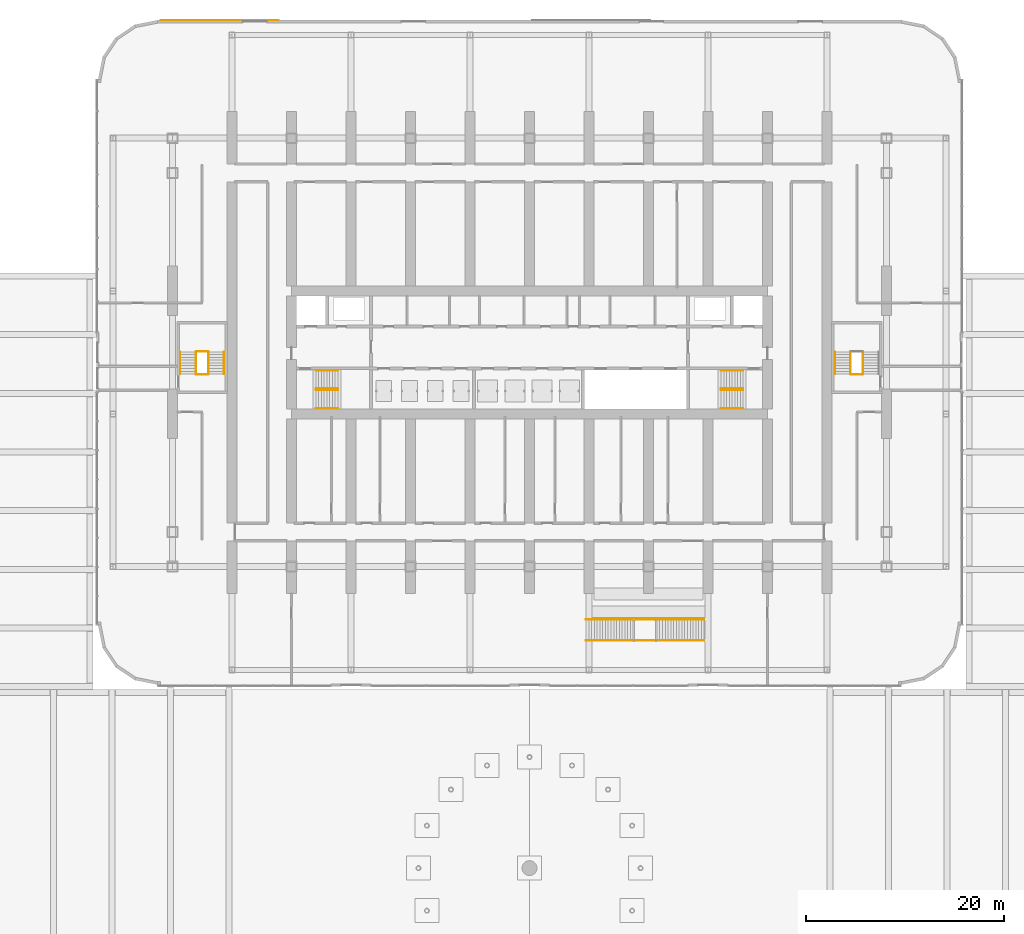
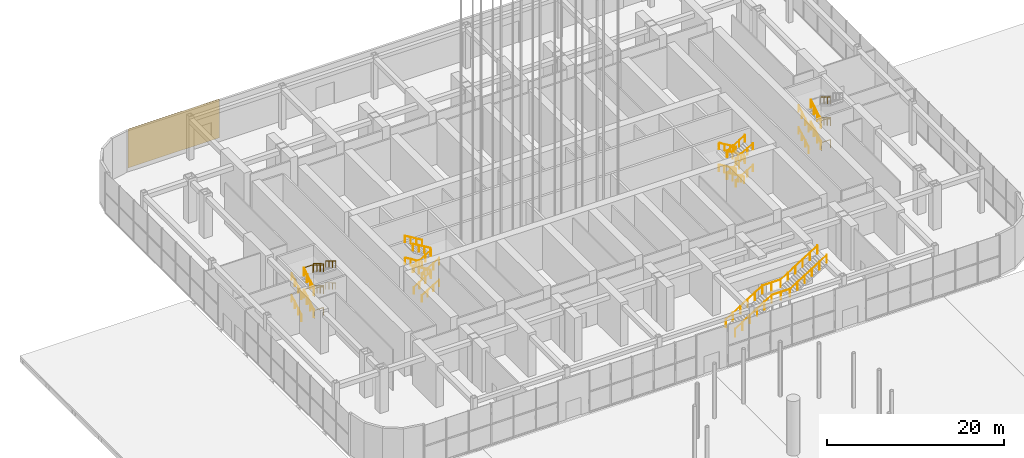
# One storey, part 39 of 57: 45 railings, 1 covering.
"""IFC4 building model written with IfcOpenShell, lengths in metres."""

import ifcopenshell
import ifcopenshell.guid

model = None  # the IFC model being written
_history = None  # IfcOwnerHistory: only IFC2X3 demands one
_inside = {}  # id of a spatial element -> (the spatial element, [elements in it])
_under = {}  # id of a project, library or spatial element -> (it, [spatial elements below it])
_declared = {}  # id of a project -> (the project, [libraries it declares])
_typed = {}  # id of a type object -> (the type object, [elements of that type])
_made_of = {}  # id of a material, layer set ... -> (it, [elements and type objects made of it])


def new_model(schema):
    """Start an empty IFC model of exactly this schema.

    Asked for "IFC4X3", IfcOpenShell would pick the latest addendum, in which some entities
    have other attributes; the version numbers below select the first issue.
    IFC2X3 requires an IfcOwnerHistory on every rooted entity: one is made here for all.
    """
    global model, _history
    if schema == "IFC4X3":
        model = ifcopenshell.file(schema_version=(4, 3, 0, 0))
    else:
        model = ifcopenshell.file(schema=schema)
    _inside.clear()
    _under.clear()
    _declared.clear()
    _typed.clear()
    _made_of.clear()
    _history = None
    if model.schema == "IFC2X3":
        org = make("IfcOrganization", Name="unknown")
        user = make(
            "IfcPersonAndOrganization",
            ThePerson=make("IfcPerson", FamilyName="unknown"),
            TheOrganization=org,
        )
        app = make(
            "IfcApplication",
            ApplicationDeveloper=org,
            Version="unknown",
            ApplicationFullName="unknown",
            ApplicationIdentifier="unknown",
        )
        _history = make(
            "IfcOwnerHistory",
            OwningUser=user,
            OwningApplication=app,
            ChangeAction="ADDED",
            CreationDate=0,
        )
    return model


def make(cls, **values):
    """One entity of the class cls with the attributes given. An attribute that is None is left unset."""
    return model.create_entity(
        cls, **{name: value for name, value in values.items() if value is not None}
    )


def rooted(cls, **values):
    """An entity with a GlobalId (a new one), such as an element, a storey or a relation."""
    return make(cls, GlobalId=ifcopenshell.guid.new(), OwnerHistory=_history, **values)


def si_unit(unit_type, name, prefix=None):
    """IfcSIUnit, for example si_unit("LENGTHUNIT", "METRE", prefix="MILLI")."""
    return make("IfcSIUnit", UnitType=unit_type, Prefix=prefix, Name=name)


def assignment(units):
    """IfcUnitAssignment: the units of a project."""
    return None if units is None else make("IfcUnitAssignment", Units=units)


def point(xyz):
    """IfcCartesianPoint."""
    return None if xyz is None else make("IfcCartesianPoint", Coordinates=xyz)


def direction(xyz):
    """IfcDirection."""
    return None if xyz is None else make("IfcDirection", DirectionRatios=xyz)


def frame(location, z_axis=None, x_axis=None):
    """IfcAxis2Placement3D, a coordinate frame: its origin and axes. An axis left out is left unset."""
    return make(
        "IfcAxis2Placement3D",
        Location=point(location),
        Axis=direction(z_axis),
        RefDirection=direction(x_axis),
    )


def frame_2d(location, x_axis=None):
    """IfcAxis2Placement2D, a coordinate frame in the plane: its origin and x axis."""
    return make(
        "IfcAxis2Placement2D", Location=point(location), RefDirection=direction(x_axis)
    )


def origin():
    """The frame at (0, 0, 0) with its axes left unset."""
    return frame((0.0, 0.0, 0.0))


def origin_2d():
    """The frame at (0, 0) in the plane with its x axis left unset."""
    return frame_2d((0.0, 0.0))


def place(relative_to, where):
    """IfcLocalPlacement: puts the frame where relative to a parent placement (None: the world)."""
    return make(
        "IfcLocalPlacement", PlacementRelTo=relative_to, RelativePlacement=where
    )


def context(
    kind, dimensions, precision=None, world=None, true_north=None, identifier=None
):
    """IfcGeometricRepresentationContext, for example the 3D "Model" context."""
    return make(
        "IfcGeometricRepresentationContext",
        ContextIdentifier=identifier,
        ContextType=kind,
        CoordinateSpaceDimension=dimensions,
        Precision=precision,
        WorldCoordinateSystem=world,
        TrueNorth=true_north,
    )


def subcontext(parent, identifier, kind, view, scale=None):
    """IfcGeometricRepresentationSubContext, for example "Body" below "Model"."""
    return make(
        "IfcGeometricRepresentationSubContext",
        ContextIdentifier=identifier,
        ContextType=kind,
        ParentContext=parent,
        TargetScale=scale,
        TargetView=view,
    )


def project(units=None, contexts=None):
    """IfcProject with its units and contexts."""
    return rooted(
        "IfcProject",
        Name="project",
        RepresentationContexts=contexts,
        UnitsInContext=assignment(units),
    )


def spatial(cls, under=None, at=None, **own):
    """A site, building, storey or space (cls), placed at a placement, below another one or the project."""
    s = rooted(cls, ObjectPlacement=at, **own)
    if under is not None:
        _under.setdefault(under.id(), (under, []))[1].append(s)
    return s


def profile(cls, at=None, kind="AREA", **sizes):
    """A parametric profile (cls). Its sizes go by their IFC names, for example OverallWidth=200.0."""
    return make(cls, ProfileType=kind, Position=at, **sizes)


def rectangle(**sizes):
    """IfcRectangleProfileDef."""
    return profile("IfcRectangleProfileDef", **sizes)


def circle(**sizes):
    """IfcCircleProfileDef."""
    return profile("IfcCircleProfileDef", **sizes)


def extrude(swept, where, along, depth):
    """IfcExtrudedAreaSolid: the profile swept, set in the frame where, extruded along a direction by depth."""
    return make(
        "IfcExtrudedAreaSolid",
        SweptArea=swept,
        Position=where,
        ExtrudedDirection=direction(along),
        Depth=depth,
    )


def shape(context_of_items, identifier, shape_type, items):
    """IfcShapeRepresentation: the items that make up one representation, for example the "Body"."""
    return make(
        "IfcShapeRepresentation",
        ContextOfItems=context_of_items,
        RepresentationIdentifier=identifier,
        RepresentationType=shape_type,
        Items=items,
    )


def material(Name=None, Category=None):
    """IfcMaterial."""
    return make("IfcMaterial", Name=Name, Category=Category)


def layer(
    of_material, thickness, ventilated=None, Name=None, Category=None, Priority=None
):
    """IfcMaterialLayer: one layer of a wall or slab, of a material (None: an air gap)."""
    return make(
        "IfcMaterialLayer",
        Material=of_material,
        LayerThickness=thickness,
        IsVentilated=ventilated,
        Name=Name,
        Category=Category,
        Priority=Priority,
    )


def layer_set(layers, Name=None):
    """IfcMaterialLayerSet."""
    return make("IfcMaterialLayerSet", MaterialLayers=layers, LayerSetName=Name)


def made_of(thing, what):
    """Note that an element or type object is made of a material, layer set ...; save() writes the relation."""
    if what is not None:
        _made_of.setdefault(what.id(), (what, []))[1].append(thing)
    return thing


def type_object(cls, material=None, **own):
    """A type object (cls), such as IfcWallType, which elements share."""
    return made_of(rooted(cls, **own), material)


def element(
    cls,
    number,
    at=None,
    inside=None,
    cuts=None,
    type_object=None,
    material=None,
    context=None,
    identifier="Body",
    shape_type=None,
    held_by="IfcProductDefinitionShape",
    body=None,
    shapes=None,
    **own,
):
    """One element of the class cls, such as IfcWall. Its Tag is "e" and its number.

    at: its placement. inside: the storey or other place that contains it. cuts: it is an
    opening in that element (IfcRelVoidsElement). A single representation is given by context,
    identifier, shape_type and body (its items); several are given by shapes. held_by: the class
    of the entity that holds the representations. save() writes the other relations.
    """
    e = rooted(cls, Tag="e%d" % number, ObjectPlacement=at, **own)
    if body is not None:
        shapes = [shape(context, identifier, shape_type, body)]
    if shapes is not None:
        e.Representation = make(held_by, Representations=shapes)
    if inside is not None:
        _inside.setdefault(inside.id(), (inside, []))[1].append(e)
    if cuts is not None:
        rooted(
            "IfcRelVoidsElement", RelatingBuildingElement=cuts, RelatedOpeningElement=e
        )
    if type_object is not None:
        _typed.setdefault(type_object.id(), (type_object, []))[1].append(e)
    return made_of(e, material)


def aggregate(whole, parts):
    """IfcRelAggregates: a whole, such as a stair, and the parts it consists of."""
    return rooted("IfcRelAggregates", RelatingObject=whole, RelatedObjects=parts)


def save(model, path):
    """Write the relations noted so far, then the file.

    IfcRelAggregates (storeys below a building ...), IfcRelContainedInSpatialStructure (elements
    in a storey), IfcRelDefinesByType, IfcRelAssociatesMaterial and IfcRelDeclares: one each for
    every whole, place, type object, material and project.
    """
    for whole, parts in _under.values():
        aggregate(whole, parts)
    for where, things in _inside.values():
        rooted(
            "IfcRelContainedInSpatialStructure",
            RelatedElements=things,
            RelatingStructure=where,
        )
    for kind, things in _typed.values():
        rooted("IfcRelDefinesByType", RelatedObjects=things, RelatingType=kind)
    for what, things in _made_of.values():
        rooted("IfcRelAssociatesMaterial", RelatedObjects=things, RelatingMaterial=what)
    for by, libraries in _declared.values():
        rooted("IfcRelDeclares", RelatingContext=by, RelatedDefinitions=libraries)
    model.write(path)


model = new_model("IFC4")

# Units and contexts
model_context = context("Model", 3, precision=1e-05, world=origin(), true_north=direction((0.0, 1.0)))
body_context = subcontext(model_context, "Body", "Model", "MODEL_VIEW")
ifc_project = project(units=[si_unit("LENGTHUNIT", "METRE"), si_unit("AREAUNIT", "SQUARE_METRE"), si_unit("VOLUMEUNIT", "CUBIC_METRE"), si_unit("PLANEANGLEUNIT", "RADIAN"), si_unit("MASSUNIT", "GRAM", prefix="KILO")], contexts=[model_context])

# Site, building, storey
site_placement = place(None, origin())
site = spatial("IfcSite", under=ifc_project, at=site_placement, CompositionType="ELEMENT")
building_placement = place(site_placement, origin())
building = spatial("IfcBuilding", under=site, at=building_placement, Name="Orbita Commons", CompositionType="ELEMENT")
storey_placement = place(building_placement, origin())
storey = spatial("IfcBuildingStorey", under=building, at=storey_placement, Name="L00", CompositionType="ELEMENT", Elevation=0.0)

# Railings
ifc_material_1 = material(Name="Laminated glass, steel handrail", Category="steel")
railing_type_1 = type_object("IfcRailingType", Name="Feature stair balustrade, glass on steel stringer 1100", PredefinedType="BALUSTRADE", material=ifc_material_1)
railing_1_placement = place(storey_placement, frame((47.699951171875, 5.06005859375, 0.0)))
element("IfcRailing", 1, at=railing_1_placement, inside=storey, type_object=railing_type_1, Name="Grand stair L00 to L01 balustrade L", PredefinedType="BALUSTRADE", context=body_context, shape_type="SweptSolid", body=[
    extrude(circle(Radius=0.02490234375, at=origin_2d()), frame((0.0, 0.0, 1.0751953125), z_axis=(0.845995810448, 0.0, 0.533189542944), x_axis=(0.0, 1.0, 0.0)), (0.0, 0.0, 1.0), 5.62646484375),
    extrude(circle(Radius=0.02490234375, at=origin_2d()), frame((4.760009765625, 0.0, 4.0751953125), z_axis=(1.0, 0.0, 0.0), x_axis=(0.0, 1.0, 0.0)), (0.0, 0.0, 1.0), 2.39013671875),
    extrude(circle(Radius=0.02490234375, at=origin_2d()), frame((7.150146484375, 0.0, 4.0751953125), z_axis=(0.845995810448, 0.0, 0.533189542944), x_axis=(0.0, 1.0, 0.0)), (0.0, 0.0, 1.0), 5.62646484375),
    extrude(circle(Radius=0.02001953125, at=origin_2d()), origin(), (0.0, 0.0, 1.0), 1.050048828125),
    extrude(circle(Radius=0.02001953125, at=origin_2d()), frame((0.951904296875, 0.0, 0.60009765625)), (0.0, 0.0, 1.0), 1.050048828125),
    extrude(circle(Radius=0.02001953125, at=origin_2d()), frame((1.904052734375, 0.0, 1.199951171875)), (0.0, 0.0, 1.0), 1.050048828125),
    extrude(circle(Radius=0.02001953125, at=origin_2d()), frame((2.85595703125, 0.0, 1.800048828125)), (0.0, 0.0, 1.0), 1.050048828125),
    extrude(circle(Radius=0.02001953125, at=origin_2d()), frame((3.80810546875, 0.0, 2.39990234375)), (0.0, 0.0, 1.0), 1.050048828125),
    extrude(circle(Radius=0.02001953125, at=origin_2d()), frame((4.760009765625, 0.0, 3.0)), (0.0, 0.0, 1.0), 1.050048828125),
    extrude(circle(Radius=0.02001953125, at=origin_2d()), frame((5.955078125, 0.0, 3.0)), (0.0, 0.0, 1.0), 1.050048828125),
    extrude(circle(Radius=0.02001953125, at=origin_2d()), frame((7.150146484375, 0.0, 3.0)), (0.0, 0.0, 1.0), 1.050048828125),
    extrude(circle(Radius=0.02001953125, at=origin_2d()), frame((8.10205078125, 0.0, 3.60009765625)), (0.0, 0.0, 1.0), 1.050048828125),
    extrude(circle(Radius=0.02001953125, at=origin_2d()), frame((9.05419921875, 0.0, 4.199951171875)), (0.0, 0.0, 1.0), 1.050048828125),
    extrude(circle(Radius=0.02001953125, at=origin_2d()), frame((10.006103515625, 0.0, 4.800048828125)), (0.0, 0.0, 1.0), 1.050048828125),
    extrude(circle(Radius=0.02001953125, at=origin_2d()), frame((10.958251953125, 0.0, 5.39990234375)), (0.0, 0.0, 1.0), 1.050048828125),
    extrude(circle(Radius=0.02001953125, at=origin_2d()), frame((11.91015625, 0.0, 6.0)), (0.0, 0.0, 1.0), 1.050048828125),
])
railing_2_placement = place(storey_placement, frame((47.699951171875, 2.93994140625, 0.0)))
element("IfcRailing", 2, at=railing_2_placement, inside=storey, type_object=railing_type_1, Name="Grand stair L00 to L01 balustrade R", PredefinedType="BALUSTRADE", context=body_context, shape_type="SweptSolid", body=[
    extrude(circle(Radius=0.02490234375, at=origin_2d()), frame((0.0, 0.0, 1.0751953125), z_axis=(0.845995810448, 0.0, 0.533189542944), x_axis=(0.0, 1.0, 0.0)), (0.0, 0.0, 1.0), 5.62646484375),
    extrude(circle(Radius=0.02490234375, at=origin_2d()), frame((4.760009765625, 0.0, 4.0751953125), z_axis=(1.0, 0.0, 0.0), x_axis=(0.0, 1.0, 0.0)), (0.0, 0.0, 1.0), 2.39013671875),
    extrude(circle(Radius=0.02490234375, at=origin_2d()), frame((7.150146484375, 0.0, 4.0751953125), z_axis=(0.845995810448, 0.0, 0.533189542944), x_axis=(0.0, 1.0, 0.0)), (0.0, 0.0, 1.0), 5.62646484375),
    extrude(circle(Radius=0.02001953125, at=origin_2d()), origin(), (0.0, 0.0, 1.0), 1.050048828125),
    extrude(circle(Radius=0.02001953125, at=origin_2d()), frame((0.951904296875, 0.0, 0.60009765625)), (0.0, 0.0, 1.0), 1.050048828125),
    extrude(circle(Radius=0.02001953125, at=origin_2d()), frame((1.904052734375, 0.0, 1.199951171875)), (0.0, 0.0, 1.0), 1.050048828125),
    extrude(circle(Radius=0.02001953125, at=origin_2d()), frame((2.85595703125, 0.0, 1.800048828125)), (0.0, 0.0, 1.0), 1.050048828125),
    extrude(circle(Radius=0.02001953125, at=origin_2d()), frame((3.80810546875, 0.0, 2.39990234375)), (0.0, 0.0, 1.0), 1.050048828125),
    extrude(circle(Radius=0.02001953125, at=origin_2d()), frame((4.760009765625, 0.0, 3.0)), (0.0, 0.0, 1.0), 1.050048828125),
    extrude(circle(Radius=0.02001953125, at=origin_2d()), frame((5.955078125, 0.0, 3.0)), (0.0, 0.0, 1.0), 1.050048828125),
    extrude(circle(Radius=0.02001953125, at=origin_2d()), frame((7.150146484375, 0.0, 3.0)), (0.0, 0.0, 1.0), 1.050048828125),
    extrude(circle(Radius=0.02001953125, at=origin_2d()), frame((8.10205078125, 0.0, 3.60009765625)), (0.0, 0.0, 1.0), 1.050048828125),
    extrude(circle(Radius=0.02001953125, at=origin_2d()), frame((9.05419921875, 0.0, 4.199951171875)), (0.0, 0.0, 1.0), 1.050048828125),
    extrude(circle(Radius=0.02001953125, at=origin_2d()), frame((10.006103515625, 0.0, 4.800048828125)), (0.0, 0.0, 1.0), 1.050048828125),
    extrude(circle(Radius=0.02001953125, at=origin_2d()), frame((10.958251953125, 0.0, 5.39990234375)), (0.0, 0.0, 1.0), 1.050048828125),
    extrude(circle(Radius=0.02001953125, at=origin_2d()), frame((11.91015625, 0.0, 6.0)), (0.0, 0.0, 1.0), 1.050048828125),
])

# Covering
ifc_material_2 = material(Name="Glass mosaic tesserae on precast backing", Category="concrete")
ifc_layer = layer(ifc_material_2, 0.02001953125)
ifc_layer_set = layer_set([ifc_layer], Name="Glass mosaic tesserae on precast backing")
covering_type = type_object("IfcCoveringType", Name="Mosaic cladding panel 20", PredefinedType="CLADDING", material=ifc_layer_set)
covering_placement = place(storey_placement, frame((10.75, 65.510009765625, 0.300048828125), z_axis=(0.0, 0.0, 1.0), x_axis=(1.0, 0.0, 0.0)))
element("IfcCovering", 3, at=covering_placement, inside=storey, type_object=covering_type, Name="Mosaic mural panel L00 6", PredefinedType="CLADDING", context=body_context, shape_type="SweptSolid", body=[
    extrude(rectangle(XDim=11.89990234375, YDim=0.02001953125, at=origin_2d()), origin(), (0.0, 0.0, 1.0), 5.35009765625),
])

# Railings
ifc_material_3 = material(Name="Steel tube, painted", Category="steel")
railing_type_2 = type_object("IfcRailingType", Name="Stair handrail steel tube 900", PredefinedType="HANDRAIL", material=ifc_material_3)
for number, where, name in (
    (4, (20.449951171875, 28.18994140625, 0.166748046875), "Stair S1 handrail L00 flight 1"),
    (5, (20.449951171875, 26.360107421875, 0.166748046875), "Stair S1 handrail L00 flight 1"),
):
    element("IfcRailing", number, at=place(storey_placement, frame(where)), inside=storey, type_object=railing_type_2, Name=name, PredefinedType="HANDRAIL", context=body_context, shape_type="SweptSolid", body=[
        extrude(circle(Radius=0.02099609375, at=origin_2d()), frame((0.0, 0.0, 0.87890625), z_axis=(0.859305625298, 0.0, 0.511462454469), x_axis=(0.0, 1.0, 0.0)), (0.0, 0.0, 1.0), 2.606689453125),
        extrude(circle(Radius=0.02001953125, at=origin_2d()), origin(), (0.0, 0.0, 1.0), 0.85791015625),
        extrude(circle(Radius=0.02001953125, at=origin_2d()), frame((0.74658203125, 0.0, 0.4443359375)), (0.0, 0.0, 1.0), 0.85791015625),
        extrude(circle(Radius=0.02001953125, at=origin_2d()), frame((1.493408203125, 0.0, 0.888916015625)), (0.0, 0.0, 1.0), 0.85791015625),
        extrude(circle(Radius=0.02001953125, at=origin_2d()), frame((2.239990234375, 0.0, 1.333251953125)), (0.0, 0.0, 1.0), 0.85791015625),
    ])
for number, where, name in (
    (6, (22.68994140625, 28.360107421875, 1.666748046875), "Stair S1 handrail L00 flight 2"),
    (7, (22.68994140625, 30.18994140625, 1.666748046875), "Stair S1 handrail L00 flight 2"),
):
    element("IfcRailing", number, at=place(storey_placement, frame(where)), inside=storey, type_object=railing_type_2, Name=name, PredefinedType="HANDRAIL", context=body_context, shape_type="SweptSolid", body=[
        extrude(circle(Radius=0.02099609375, at=origin_2d()), frame((0.0, 0.0, 0.87890625), z_axis=(-0.859305625298, 0.0, 0.511462454469), x_axis=(0.0, -1.0, 0.0)), (0.0, 0.0, 1.0), 2.606689453125),
        extrude(circle(Radius=0.02001953125, at=origin_2d()), origin(), (0.0, 0.0, 1.0), 0.85791015625),
        extrude(circle(Radius=0.02001953125, at=origin_2d()), frame((-0.74658203125, 0.0, 0.4443359375)), (0.0, 0.0, 1.0), 0.85791015625),
        extrude(circle(Radius=0.02001953125, at=origin_2d()), frame((-1.493408203125, 0.0, 0.888916015625)), (0.0, 0.0, 1.0), 0.85791015625),
        extrude(circle(Radius=0.02001953125, at=origin_2d()), frame((-2.239990234375, 0.0, 1.333251953125)), (0.0, 0.0, 1.0), 0.85791015625),
    ])
for number, where, name in (
    (8, (20.449951171875, 28.18994140625, 3.166748046875), "Stair S1 handrail L00 flight 3"),
    (9, (20.449951171875, 26.360107421875, 3.166748046875), "Stair S1 handrail L00 flight 3"),
):
    element("IfcRailing", number, at=place(storey_placement, frame(where)), inside=storey, type_object=railing_type_2, Name=name, PredefinedType="HANDRAIL", context=body_context, shape_type="SweptSolid", body=[
        extrude(circle(Radius=0.02099609375, at=origin_2d()), frame((0.0, 0.0, 0.87890625), z_axis=(0.859305625298, 0.0, 0.511462454469), x_axis=(0.0, 1.0, 0.0)), (0.0, 0.0, 1.0), 2.606689453125),
        extrude(circle(Radius=0.02001953125, at=origin_2d()), origin(), (0.0, 0.0, 1.0), 0.85791015625),
        extrude(circle(Radius=0.02001953125, at=origin_2d()), frame((0.74658203125, 0.0, 0.4443359375)), (0.0, 0.0, 1.0), 0.85791015625),
        extrude(circle(Radius=0.02001953125, at=origin_2d()), frame((1.493408203125, 0.0, 0.888916015625)), (0.0, 0.0, 1.0), 0.85791015625),
        extrude(circle(Radius=0.02001953125, at=origin_2d()), frame((2.239990234375, 0.0, 1.333251953125)), (0.0, 0.0, 1.0), 0.85791015625),
    ])
for number, where, name in (
    (10, (22.68994140625, 28.360107421875, 4.666748046875), "Stair S1 handrail L00 flight 4"),
    (11, (22.68994140625, 30.18994140625, 4.666748046875), "Stair S1 handrail L00 flight 4"),
    (12, (63.550048828125, 28.360107421875, 0.166748046875), "Stair S2 handrail L00 flight 1"),
    (13, (63.550048828125, 30.18994140625, 0.166748046875), "Stair S2 handrail L00 flight 1"),
):
    element("IfcRailing", number, at=place(storey_placement, frame(where)), inside=storey, type_object=railing_type_2, Name=name, PredefinedType="HANDRAIL", context=body_context, shape_type="SweptSolid", body=[
        extrude(circle(Radius=0.02099609375, at=origin_2d()), frame((0.0, 0.0, 0.87890625), z_axis=(-0.859305625298, 0.0, 0.511462454469), x_axis=(0.0, -1.0, 0.0)), (0.0, 0.0, 1.0), 2.606689453125),
        extrude(circle(Radius=0.02001953125, at=origin_2d()), origin(), (0.0, 0.0, 1.0), 0.85791015625),
        extrude(circle(Radius=0.02001953125, at=origin_2d()), frame((-0.74658203125, 0.0, 0.4443359375)), (0.0, 0.0, 1.0), 0.85791015625),
        extrude(circle(Radius=0.02001953125, at=origin_2d()), frame((-1.493408203125, 0.0, 0.888916015625)), (0.0, 0.0, 1.0), 0.85791015625),
        extrude(circle(Radius=0.02001953125, at=origin_2d()), frame((-2.239990234375, 0.0, 1.333251953125)), (0.0, 0.0, 1.0), 0.85791015625),
    ])
for number, where, name in (
    (14, (61.31005859375, 28.18994140625, 1.666748046875), "Stair S2 handrail L00 flight 2"),
    (15, (61.31005859375, 26.360107421875, 1.666748046875), "Stair S2 handrail L00 flight 2"),
):
    element("IfcRailing", number, at=place(storey_placement, frame(where)), inside=storey, type_object=railing_type_2, Name=name, PredefinedType="HANDRAIL", context=body_context, shape_type="SweptSolid", body=[
        extrude(circle(Radius=0.02099609375, at=origin_2d()), frame((0.0, 0.0, 0.87890625), z_axis=(0.859305625298, 0.0, 0.511462454469), x_axis=(0.0, 1.0, 0.0)), (0.0, 0.0, 1.0), 2.606689453125),
        extrude(circle(Radius=0.02001953125, at=origin_2d()), origin(), (0.0, 0.0, 1.0), 0.85791015625),
        extrude(circle(Radius=0.02001953125, at=origin_2d()), frame((0.74658203125, 0.0, 0.4443359375)), (0.0, 0.0, 1.0), 0.85791015625),
        extrude(circle(Radius=0.02001953125, at=origin_2d()), frame((1.493408203125, 0.0, 0.888916015625)), (0.0, 0.0, 1.0), 0.85791015625),
        extrude(circle(Radius=0.02001953125, at=origin_2d()), frame((2.239990234375, 0.0, 1.333251953125)), (0.0, 0.0, 1.0), 0.85791015625),
    ])
for number, where, name in (
    (16, (63.550048828125, 28.360107421875, 3.166748046875), "Stair S2 handrail L00 flight 3"),
    (17, (63.550048828125, 30.18994140625, 3.166748046875), "Stair S2 handrail L00 flight 3"),
):
    element("IfcRailing", number, at=place(storey_placement, frame(where)), inside=storey, type_object=railing_type_2, Name=name, PredefinedType="HANDRAIL", context=body_context, shape_type="SweptSolid", body=[
        extrude(circle(Radius=0.02099609375, at=origin_2d()), frame((0.0, 0.0, 0.87890625), z_axis=(-0.859305625298, 0.0, 0.511462454469), x_axis=(0.0, -1.0, 0.0)), (0.0, 0.0, 1.0), 2.606689453125),
        extrude(circle(Radius=0.02001953125, at=origin_2d()), origin(), (0.0, 0.0, 1.0), 0.85791015625),
        extrude(circle(Radius=0.02001953125, at=origin_2d()), frame((-0.74658203125, 0.0, 0.4443359375)), (0.0, 0.0, 1.0), 0.85791015625),
        extrude(circle(Radius=0.02001953125, at=origin_2d()), frame((-1.493408203125, 0.0, 0.888916015625)), (0.0, 0.0, 1.0), 0.85791015625),
        extrude(circle(Radius=0.02001953125, at=origin_2d()), frame((-2.239990234375, 0.0, 1.333251953125)), (0.0, 0.0, 1.0), 0.85791015625),
    ])
for number, where, name in (
    (18, (61.31005859375, 28.18994140625, 4.666748046875), "Stair S2 handrail L00 flight 4"),
    (19, (61.31005859375, 26.360107421875, 4.666748046875), "Stair S2 handrail L00 flight 4"),
):
    element("IfcRailing", number, at=place(storey_placement, frame(where)), inside=storey, type_object=railing_type_2, Name=name, PredefinedType="HANDRAIL", context=body_context, shape_type="SweptSolid", body=[
        extrude(circle(Radius=0.02099609375, at=origin_2d()), frame((0.0, 0.0, 0.87890625), z_axis=(0.859305625298, 0.0, 0.511462454469), x_axis=(0.0, 1.0, 0.0)), (0.0, 0.0, 1.0), 2.606689453125),
        extrude(circle(Radius=0.02001953125, at=origin_2d()), origin(), (0.0, 0.0, 1.0), 0.85791015625),
        extrude(circle(Radius=0.02001953125, at=origin_2d()), frame((0.74658203125, 0.0, 0.4443359375)), (0.0, 0.0, 1.0), 0.85791015625),
        extrude(circle(Radius=0.02001953125, at=origin_2d()), frame((1.493408203125, 0.0, 0.888916015625)), (0.0, 0.0, 1.0), 0.85791015625),
        extrude(circle(Radius=0.02001953125, at=origin_2d()), frame((2.239990234375, 0.0, 1.333251953125)), (0.0, 0.0, 1.0), 0.85791015625),
    ])
for number, where, name in (
    (20, (6.784912109375, 29.820068359375, 0.166748046875), "Stair PS1 handrail L00 flight 1"),
    (21, (8.35009765625, 29.820068359375, 0.166748046875), "Stair PS1 handrail L00 flight 1"),
):
    element("IfcRailing", number, at=place(storey_placement, frame(where)), inside=storey, type_object=railing_type_2, Name=name, PredefinedType="HANDRAIL", context=body_context, shape_type="SweptSolid", body=[
        extrude(circle(Radius=0.02099609375, at=origin_2d()), frame((0.0, 0.0, 0.87890625), z_axis=(0.0, 0.859305625298, 0.511462454469), x_axis=(-1.0, 0.0, 0.0)), (0.0, 0.0, 1.0), 2.606689453125),
        extrude(circle(Radius=0.02001953125, at=origin_2d()), origin(), (0.0, 0.0, 1.0), 0.85791015625),
        extrude(circle(Radius=0.02001953125, at=origin_2d()), frame((0.0, 0.74658203125, 0.4443359375)), (0.0, 0.0, 1.0), 0.85791015625),
        extrude(circle(Radius=0.02001953125, at=origin_2d()), frame((0.0, 1.493408203125, 0.888916015625)), (0.0, 0.0, 1.0), 0.85791015625),
        extrude(circle(Radius=0.02001953125, at=origin_2d()), frame((0.0, 2.239990234375, 1.333251953125)), (0.0, 0.0, 1.0), 0.85791015625),
    ])
for number, where, name in (
    (22, (11.215087890625, 32.06005859375, 1.666748046875), "Stair PS1 handrail L00 flight 2"),
    (23, (9.64990234375, 32.06005859375, 1.666748046875), "Stair PS1 handrail L00 flight 2"),
):
    element("IfcRailing", number, at=place(storey_placement, frame(where)), inside=storey, type_object=railing_type_2, Name=name, PredefinedType="HANDRAIL", context=body_context, shape_type="SweptSolid", body=[
        extrude(circle(Radius=0.02099609375, at=origin_2d()), frame((0.0, 0.0, 0.87890625), z_axis=(0.0, -0.859305625298, 0.511462454469), x_axis=(1.0, 0.0, 0.0)), (0.0, 0.0, 1.0), 2.606689453125),
        extrude(circle(Radius=0.02001953125, at=origin_2d()), origin(), (0.0, 0.0, 1.0), 0.85791015625),
        extrude(circle(Radius=0.02001953125, at=origin_2d()), frame((0.0, -0.74658203125, 0.4443359375)), (0.0, 0.0, 1.0), 0.85791015625),
        extrude(circle(Radius=0.02001953125, at=origin_2d()), frame((0.0, -1.493408203125, 0.888916015625)), (0.0, 0.0, 1.0), 0.85791015625),
        extrude(circle(Radius=0.02001953125, at=origin_2d()), frame((0.0, -2.239990234375, 1.333251953125)), (0.0, 0.0, 1.0), 0.85791015625),
    ])
for number, where, name in (
    (24, (6.784912109375, 29.820068359375, 3.166748046875), "Stair PS1 handrail L00 flight 3"),
    (25, (8.35009765625, 29.820068359375, 3.166748046875), "Stair PS1 handrail L00 flight 3"),
):
    element("IfcRailing", number, at=place(storey_placement, frame(where)), inside=storey, type_object=railing_type_2, Name=name, PredefinedType="HANDRAIL", context=body_context, shape_type="SweptSolid", body=[
        extrude(circle(Radius=0.02099609375, at=origin_2d()), frame((0.0, 0.0, 0.87890625), z_axis=(0.0, 0.859305625298, 0.511462454469), x_axis=(-1.0, 0.0, 0.0)), (0.0, 0.0, 1.0), 2.606689453125),
        extrude(circle(Radius=0.02001953125, at=origin_2d()), origin(), (0.0, 0.0, 1.0), 0.85791015625),
        extrude(circle(Radius=0.02001953125, at=origin_2d()), frame((0.0, 0.74658203125, 0.4443359375)), (0.0, 0.0, 1.0), 0.85791015625),
        extrude(circle(Radius=0.02001953125, at=origin_2d()), frame((0.0, 1.493408203125, 0.888916015625)), (0.0, 0.0, 1.0), 0.85791015625),
        extrude(circle(Radius=0.02001953125, at=origin_2d()), frame((0.0, 2.239990234375, 1.333251953125)), (0.0, 0.0, 1.0), 0.85791015625),
    ])
for number, where, name in (
    (26, (11.215087890625, 32.06005859375, 4.666748046875), "Stair PS1 handrail L00 flight 4"),
    (27, (9.64990234375, 32.06005859375, 4.666748046875), "Stair PS1 handrail L00 flight 4"),
):
    element("IfcRailing", number, at=place(storey_placement, frame(where)), inside=storey, type_object=railing_type_2, Name=name, PredefinedType="HANDRAIL", context=body_context, shape_type="SweptSolid", body=[
        extrude(circle(Radius=0.02099609375, at=origin_2d()), frame((0.0, 0.0, 0.87890625), z_axis=(0.0, -0.859305625298, 0.511462454469), x_axis=(1.0, 0.0, 0.0)), (0.0, 0.0, 1.0), 2.606689453125),
        extrude(circle(Radius=0.02001953125, at=origin_2d()), origin(), (0.0, 0.0, 1.0), 0.85791015625),
        extrude(circle(Radius=0.02001953125, at=origin_2d()), frame((0.0, -0.74658203125, 0.4443359375)), (0.0, 0.0, 1.0), 0.85791015625),
        extrude(circle(Radius=0.02001953125, at=origin_2d()), frame((0.0, -1.493408203125, 0.888916015625)), (0.0, 0.0, 1.0), 0.85791015625),
        extrude(circle(Radius=0.02001953125, at=origin_2d()), frame((0.0, -2.239990234375, 1.333251953125)), (0.0, 0.0, 1.0), 0.85791015625),
    ])
for number, where, name in (
    (28, (72.784912109375, 29.820068359375, 0.166748046875), "Stair PS2 handrail L00 flight 1"),
    (29, (74.35009765625, 29.820068359375, 0.166748046875), "Stair PS2 handrail L00 flight 1"),
):
    element("IfcRailing", number, at=place(storey_placement, frame(where)), inside=storey, type_object=railing_type_2, Name=name, PredefinedType="HANDRAIL", context=body_context, shape_type="SweptSolid", body=[
        extrude(circle(Radius=0.02099609375, at=origin_2d()), frame((0.0, 0.0, 0.87890625), z_axis=(0.0, 0.859305625298, 0.511462454469), x_axis=(-1.0, 0.0, 0.0)), (0.0, 0.0, 1.0), 2.606689453125),
        extrude(circle(Radius=0.02001953125, at=origin_2d()), origin(), (0.0, 0.0, 1.0), 0.85791015625),
        extrude(circle(Radius=0.02001953125, at=origin_2d()), frame((0.0, 0.74658203125, 0.4443359375)), (0.0, 0.0, 1.0), 0.85791015625),
        extrude(circle(Radius=0.02001953125, at=origin_2d()), frame((0.0, 1.493408203125, 0.888916015625)), (0.0, 0.0, 1.0), 0.85791015625),
        extrude(circle(Radius=0.02001953125, at=origin_2d()), frame((0.0, 2.239990234375, 1.333251953125)), (0.0, 0.0, 1.0), 0.85791015625),
    ])
railing_3_placement = place(storey_placement, frame((75.64990234375, 32.06005859375, 1.666748046875)))
element("IfcRailing", 30, at=railing_3_placement, inside=storey, type_object=railing_type_2, Name="Stair PS2 handrail L00 flight 2", PredefinedType="HANDRAIL", context=body_context, shape_type="SweptSolid", body=[
    extrude(circle(Radius=0.02099609375, at=origin_2d()), frame((0.0, 0.0, 0.87890625), z_axis=(0.0, -0.859305625298, 0.511462454469), x_axis=(1.0, 0.0, 0.0)), (0.0, 0.0, 1.0), 2.606689453125),
    extrude(circle(Radius=0.02001953125, at=origin_2d()), origin(), (0.0, 0.0, 1.0), 0.85791015625),
    extrude(circle(Radius=0.02001953125, at=origin_2d()), frame((0.0, -0.74658203125, 0.4443359375)), (0.0, 0.0, 1.0), 0.85791015625),
    extrude(circle(Radius=0.02001953125, at=origin_2d()), frame((0.0, -1.493408203125, 0.888916015625)), (0.0, 0.0, 1.0), 0.85791015625),
    extrude(circle(Radius=0.02001953125, at=origin_2d()), frame((0.0, -2.239990234375, 1.333251953125)), (0.0, 0.0, 1.0), 0.85791015625),
])
for number, where, name in (
    (31, (72.784912109375, 29.820068359375, 3.166748046875), "Stair PS2 handrail L00 flight 3"),
    (32, (74.35009765625, 29.820068359375, 3.166748046875), "Stair PS2 handrail L00 flight 3"),
):
    element("IfcRailing", number, at=place(storey_placement, frame(where)), inside=storey, type_object=railing_type_2, Name=name, PredefinedType="HANDRAIL", context=body_context, shape_type="SweptSolid", body=[
        extrude(circle(Radius=0.02099609375, at=origin_2d()), frame((0.0, 0.0, 0.87890625), z_axis=(0.0, 0.859305625298, 0.511462454469), x_axis=(-1.0, 0.0, 0.0)), (0.0, 0.0, 1.0), 2.606689453125),
        extrude(circle(Radius=0.02001953125, at=origin_2d()), origin(), (0.0, 0.0, 1.0), 0.85791015625),
        extrude(circle(Radius=0.02001953125, at=origin_2d()), frame((0.0, 0.74658203125, 0.4443359375)), (0.0, 0.0, 1.0), 0.85791015625),
        extrude(circle(Radius=0.02001953125, at=origin_2d()), frame((0.0, 1.493408203125, 0.888916015625)), (0.0, 0.0, 1.0), 0.85791015625),
        extrude(circle(Radius=0.02001953125, at=origin_2d()), frame((0.0, 2.239990234375, 1.333251953125)), (0.0, 0.0, 1.0), 0.85791015625),
    ])
railing_4_placement = place(storey_placement, frame((75.64990234375, 32.06005859375, 4.666748046875)))
element("IfcRailing", 33, at=railing_4_placement, inside=storey, type_object=railing_type_2, Name="Stair PS2 handrail L00 flight 4", PredefinedType="HANDRAIL", context=body_context, shape_type="SweptSolid", body=[
    extrude(circle(Radius=0.02099609375, at=origin_2d()), frame((0.0, 0.0, 0.87890625), z_axis=(0.0, -0.859305625298, 0.511462454469), x_axis=(1.0, 0.0, 0.0)), (0.0, 0.0, 1.0), 2.606689453125),
    extrude(circle(Radius=0.02001953125, at=origin_2d()), origin(), (0.0, 0.0, 1.0), 0.85791015625),
    extrude(circle(Radius=0.02001953125, at=origin_2d()), frame((0.0, -0.74658203125, 0.4443359375)), (0.0, 0.0, 1.0), 0.85791015625),
    extrude(circle(Radius=0.02001953125, at=origin_2d()), frame((0.0, -1.493408203125, 0.888916015625)), (0.0, 0.0, 1.0), 0.85791015625),
    extrude(circle(Radius=0.02001953125, at=origin_2d()), frame((0.0, -2.239990234375, 1.333251953125)), (0.0, 0.0, 1.0), 0.85791015625),
])
ifc_material_4 = material(Name="Steel balustrade, painted", Category="steel")
railing_type_3 = type_object("IfcRailingType", Name="Stair well guard, steel balustrade 1100", PredefinedType="GUARDRAIL", material=ifc_material_4)
railing_5_placement = place(storey_placement, frame((8.389892578125, 29.820068359375, 0.166748046875)))
element("IfcRailing", 34, at=railing_5_placement, inside=storey, type_object=railing_type_3, Name="Stair PS1 well guard L00 flight 1", PredefinedType="GUARDRAIL", context=body_context, shape_type="SweptSolid", body=[
    extrude(circle(Radius=0.02490234375, at=origin_2d()), frame((0.0, 0.0, 1.0751953125), z_axis=(0.0, 0.859305625298, 0.511462454469), x_axis=(-1.0, 0.0, 0.0)), (0.0, 0.0, 1.0), 2.606689453125),
    extrude(circle(Radius=0.02490234375, at=origin_2d()), origin(), (0.0, 0.0, 1.0), 1.050048828125),
    extrude(circle(Radius=0.02490234375, at=origin_2d()), frame((0.0, 0.74658203125, 0.4443359375)), (0.0, 0.0, 1.0), 1.050048828125),
    extrude(circle(Radius=0.02490234375, at=origin_2d()), frame((0.0, 1.493408203125, 0.888916015625)), (0.0, 0.0, 1.0), 1.050048828125),
    extrude(circle(Radius=0.02490234375, at=origin_2d()), frame((0.0, 2.239990234375, 1.333251953125)), (0.0, 0.0, 1.0), 1.050048828125),
])
railing_6_placement = place(storey_placement, frame((9.610107421875, 32.06005859375, 1.666748046875)))
element("IfcRailing", 35, at=railing_6_placement, inside=storey, type_object=railing_type_3, Name="Stair PS1 well guard L00 flight 2", PredefinedType="GUARDRAIL", context=body_context, shape_type="SweptSolid", body=[
    extrude(circle(Radius=0.02490234375, at=origin_2d()), frame((0.0, 0.0, 1.0751953125), z_axis=(0.0, -0.859305625298, 0.511462454469), x_axis=(1.0, 0.0, 0.0)), (0.0, 0.0, 1.0), 2.606689453125),
    extrude(circle(Radius=0.02490234375, at=origin_2d()), origin(), (0.0, 0.0, 1.0), 1.050048828125),
    extrude(circle(Radius=0.02490234375, at=origin_2d()), frame((0.0, -0.74658203125, 0.4443359375)), (0.0, 0.0, 1.0), 1.050048828125),
    extrude(circle(Radius=0.02490234375, at=origin_2d()), frame((0.0, -1.493408203125, 0.888916015625)), (0.0, 0.0, 1.0), 1.050048828125),
    extrude(circle(Radius=0.02490234375, at=origin_2d()), frame((0.0, -2.239990234375, 1.333251953125)), (0.0, 0.0, 1.0), 1.050048828125),
])
railing_7_placement = place(storey_placement, frame((8.389892578125, 29.820068359375, 3.166748046875)))
element("IfcRailing", 36, at=railing_7_placement, inside=storey, type_object=railing_type_3, Name="Stair PS1 well guard L00 flight 3", PredefinedType="GUARDRAIL", context=body_context, shape_type="SweptSolid", body=[
    extrude(circle(Radius=0.02490234375, at=origin_2d()), frame((0.0, 0.0, 1.0751953125), z_axis=(0.0, 0.859305625298, 0.511462454469), x_axis=(-1.0, 0.0, 0.0)), (0.0, 0.0, 1.0), 2.606689453125),
    extrude(circle(Radius=0.02490234375, at=origin_2d()), origin(), (0.0, 0.0, 1.0), 1.050048828125),
    extrude(circle(Radius=0.02490234375, at=origin_2d()), frame((0.0, 0.74658203125, 0.4443359375)), (0.0, 0.0, 1.0), 1.050048828125),
    extrude(circle(Radius=0.02490234375, at=origin_2d()), frame((0.0, 1.493408203125, 0.888916015625)), (0.0, 0.0, 1.0), 1.050048828125),
    extrude(circle(Radius=0.02490234375, at=origin_2d()), frame((0.0, 2.239990234375, 1.333251953125)), (0.0, 0.0, 1.0), 1.050048828125),
])
railing_8_placement = place(storey_placement, frame((9.610107421875, 32.06005859375, 4.666748046875)))
element("IfcRailing", 37, at=railing_8_placement, inside=storey, type_object=railing_type_3, Name="Stair PS1 well guard L00 flight 4", PredefinedType="GUARDRAIL", context=body_context, shape_type="SweptSolid", body=[
    extrude(circle(Radius=0.02490234375, at=origin_2d()), frame((0.0, 0.0, 1.0751953125), z_axis=(0.0, -0.859305625298, 0.511462454469), x_axis=(1.0, 0.0, 0.0)), (0.0, 0.0, 1.0), 2.606689453125),
    extrude(circle(Radius=0.02490234375, at=origin_2d()), origin(), (0.0, 0.0, 1.0), 1.050048828125),
    extrude(circle(Radius=0.02490234375, at=origin_2d()), frame((0.0, -0.74658203125, 0.4443359375)), (0.0, 0.0, 1.0), 1.050048828125),
    extrude(circle(Radius=0.02490234375, at=origin_2d()), frame((0.0, -1.493408203125, 0.888916015625)), (0.0, 0.0, 1.0), 1.050048828125),
    extrude(circle(Radius=0.02490234375, at=origin_2d()), frame((0.0, -2.239990234375, 1.333251953125)), (0.0, 0.0, 1.0), 1.050048828125),
])
for number, where, name in (
    (38, (8.409912109375, 29.7900390625, 0.0), "Stair PS1 landing well guard L00 1"),
    (39, (8.409912109375, 32.090087890625, 1.5), "Stair PS1 landing well guard L00 2"),
    (40, (8.409912109375, 29.7900390625, 3.0), "Stair PS1 landing well guard L00 3"),
    (41, (8.409912109375, 32.090087890625, 4.5), "Stair PS1 landing well guard L00 4"),
):
    element("IfcRailing", number, at=place(storey_placement, frame(where)), inside=storey, type_object=railing_type_3, Name=name, PredefinedType="GUARDRAIL", context=body_context, shape_type="SweptSolid", body=[
        extrude(circle(Radius=0.02490234375, at=origin_2d()), frame((0.0, 0.0, 1.0751953125), z_axis=(1.0, 0.0, 0.0), x_axis=(0.0, 1.0, 0.0)), (0.0, 0.0, 1.0), 1.18017578125),
        extrude(circle(Radius=0.02490234375, at=origin_2d()), origin(), (0.0, 0.0, 1.0), 1.050048828125),
        extrude(circle(Radius=0.02490234375, at=origin_2d()), frame((1.18017578125, 0.0, 0.0)), (0.0, 0.0, 1.0), 1.050048828125),
    ])
railing_9_placement = place(storey_placement, frame((74.389892578125, 29.820068359375, 0.166748046875)))
element("IfcRailing", 42, at=railing_9_placement, inside=storey, type_object=railing_type_3, Name="Stair PS2 well guard L00 flight 1", PredefinedType="GUARDRAIL", context=body_context, shape_type="SweptSolid", body=[
    extrude(circle(Radius=0.02490234375, at=origin_2d()), frame((0.0, 0.0, 1.0751953125), z_axis=(0.0, 0.859305625298, 0.511462454469), x_axis=(-1.0, 0.0, 0.0)), (0.0, 0.0, 1.0), 2.606689453125),
    extrude(circle(Radius=0.02490234375, at=origin_2d()), origin(), (0.0, 0.0, 1.0), 1.050048828125),
    extrude(circle(Radius=0.02490234375, at=origin_2d()), frame((0.0, 0.74658203125, 0.4443359375)), (0.0, 0.0, 1.0), 1.050048828125),
    extrude(circle(Radius=0.02490234375, at=origin_2d()), frame((0.0, 1.493408203125, 0.888916015625)), (0.0, 0.0, 1.0), 1.050048828125),
    extrude(circle(Radius=0.02490234375, at=origin_2d()), frame((0.0, 2.239990234375, 1.333251953125)), (0.0, 0.0, 1.0), 1.050048828125),
])
railing_10_placement = place(storey_placement, frame((75.610107421875, 32.06005859375, 1.666748046875)))
element("IfcRailing", 43, at=railing_10_placement, inside=storey, type_object=railing_type_3, Name="Stair PS2 well guard L00 flight 2", PredefinedType="GUARDRAIL", context=body_context, shape_type="SweptSolid", body=[
    extrude(circle(Radius=0.02490234375, at=origin_2d()), frame((0.0, 0.0, 1.0751953125), z_axis=(0.0, -0.859305625298, 0.511462454469), x_axis=(1.0, 0.0, 0.0)), (0.0, 0.0, 1.0), 2.606689453125),
    extrude(circle(Radius=0.02490234375, at=origin_2d()), origin(), (0.0, 0.0, 1.0), 1.050048828125),
    extrude(circle(Radius=0.02490234375, at=origin_2d()), frame((0.0, -0.74658203125, 0.4443359375)), (0.0, 0.0, 1.0), 1.050048828125),
    extrude(circle(Radius=0.02490234375, at=origin_2d()), frame((0.0, -1.493408203125, 0.888916015625)), (0.0, 0.0, 1.0), 1.050048828125),
    extrude(circle(Radius=0.02490234375, at=origin_2d()), frame((0.0, -2.239990234375, 1.333251953125)), (0.0, 0.0, 1.0), 1.050048828125),
])
railing_11_placement = place(storey_placement, frame((74.389892578125, 29.820068359375, 3.166748046875)))
element("IfcRailing", 44, at=railing_11_placement, inside=storey, type_object=railing_type_3, Name="Stair PS2 well guard L00 flight 3", PredefinedType="GUARDRAIL", context=body_context, shape_type="SweptSolid", body=[
    extrude(circle(Radius=0.02490234375, at=origin_2d()), frame((0.0, 0.0, 1.0751953125), z_axis=(0.0, 0.859305625298, 0.511462454469), x_axis=(-1.0, 0.0, 0.0)), (0.0, 0.0, 1.0), 2.606689453125),
    extrude(circle(Radius=0.02490234375, at=origin_2d()), origin(), (0.0, 0.0, 1.0), 1.050048828125),
    extrude(circle(Radius=0.02490234375, at=origin_2d()), frame((0.0, 0.74658203125, 0.4443359375)), (0.0, 0.0, 1.0), 1.050048828125),
    extrude(circle(Radius=0.02490234375, at=origin_2d()), frame((0.0, 1.493408203125, 0.888916015625)), (0.0, 0.0, 1.0), 1.050048828125),
    extrude(circle(Radius=0.02490234375, at=origin_2d()), frame((0.0, 2.239990234375, 1.333251953125)), (0.0, 0.0, 1.0), 1.050048828125),
])
for number, where, name in (
    (45, (74.409912109375, 29.7900390625, 0.0), "Stair PS2 landing well guard L00 1"),
    (46, (74.409912109375, 29.7900390625, 3.0), "Stair PS2 landing well guard L00 3"),
):
    element("IfcRailing", number, at=place(storey_placement, frame(where)), inside=storey, type_object=railing_type_3, Name=name, PredefinedType="GUARDRAIL", context=body_context, shape_type="SweptSolid", body=[
        extrude(circle(Radius=0.02490234375, at=origin_2d()), frame((0.0, 0.0, 1.0751953125), z_axis=(1.0, 0.0, 0.0), x_axis=(0.0, 1.0, 0.0)), (0.0, 0.0, 1.0), 1.18017578125),
        extrude(circle(Radius=0.02490234375, at=origin_2d()), origin(), (0.0, 0.0, 1.0), 1.050048828125),
        extrude(circle(Radius=0.02490234375, at=origin_2d()), frame((1.18017578125, 0.0, 0.0)), (0.0, 0.0, 1.0), 1.050048828125),
    ])

save(model, "model.ifc")
